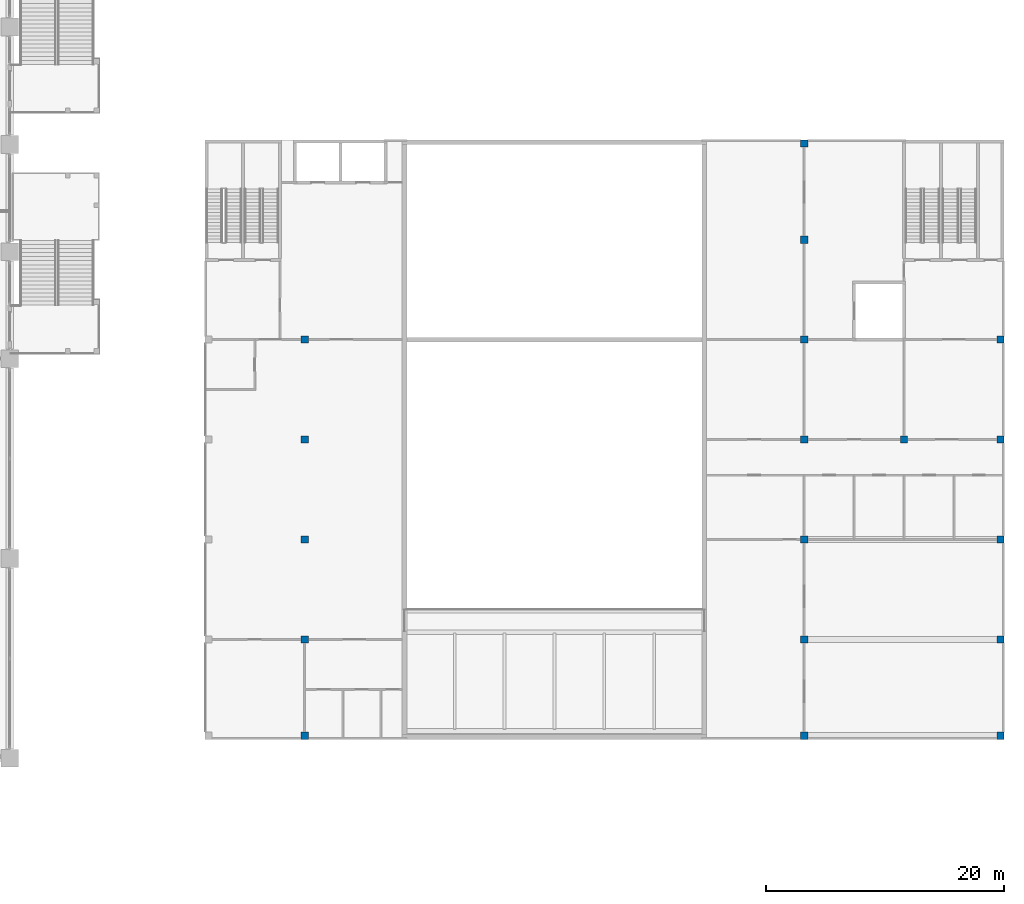
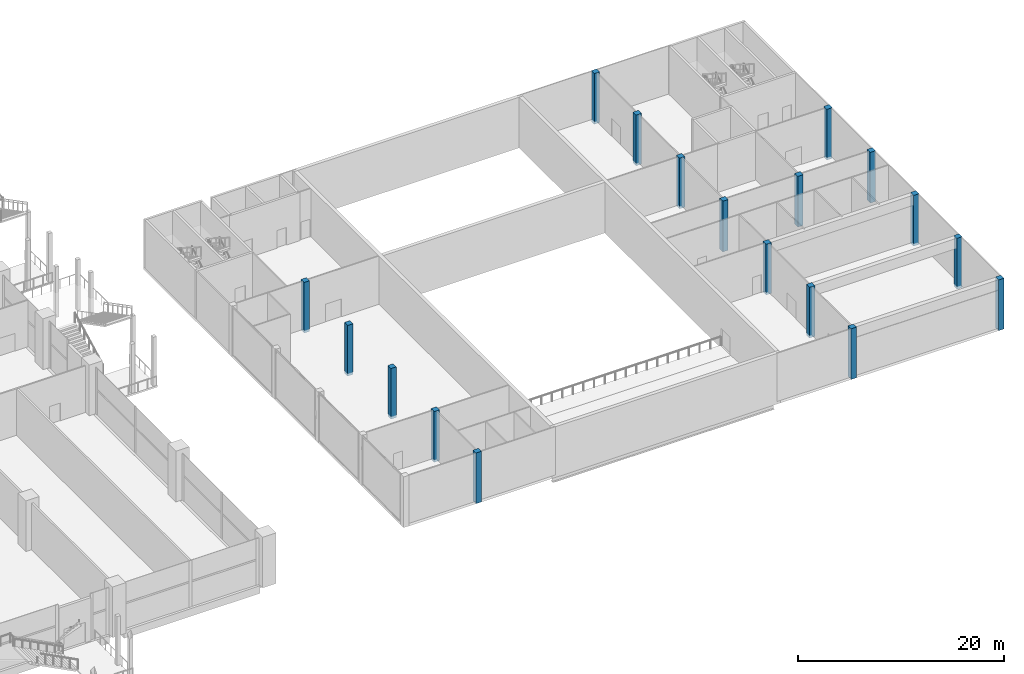
# One storey, part 3 of 49: 18 columns.
"""IFC4 building model written with IfcOpenShell, lengths in metres."""

from ifc_helpers import new_model, si_unit, direction, frame, origin, origin_2d, place, context, subcontext, project, spatial, rectangle, extrude, material, material_profile, profile_set, type_object, element, save


model = new_model("IFC4")

# Units and contexts
model_context = context("Model", 3, precision=1e-05, world=origin(), true_north=direction((0.0, 1.0)))
body_context = subcontext(model_context, "Body", "Model", "MODEL_VIEW")
ifc_project = project(units=[si_unit("LENGTHUNIT", "METRE"), si_unit("AREAUNIT", "SQUARE_METRE"), si_unit("VOLUMEUNIT", "CUBIC_METRE"), si_unit("PLANEANGLEUNIT", "RADIAN"), si_unit("MASSUNIT", "GRAM", prefix="KILO")], contexts=[model_context])

# Site, building, storey
site_placement = place(None, origin())
site = spatial("IfcSite", under=ifc_project, at=site_placement, CompositionType="ELEMENT")
building_placement = place(site_placement, origin())
building = spatial("IfcBuilding", under=site, at=building_placement, Name="Candeia Pilgrim Tower and Theatre", CompositionType="ELEMENT")
storey_placement = place(building_placement, frame((0.0, 0.0, 17.0)))
storey = spatial("IfcBuildingStorey", under=building, at=storey_placement, Name="L02", CompositionType="ELEMENT", Elevation=17.0)

# Columns
ifc_material = material(Name="Concrete C40/50", Category="concrete")
ifc_material_profile = material_profile(ifc_material, rectangle(XDim=0.60009765625, YDim=0.60009765625, at=origin_2d()))
ifc_profile_set = profile_set([ifc_material_profile], Name="Concrete C40/50")
column_type = type_object("IfcColumnType", Name="Theatre column 600x600", PredefinedType="COLUMN", material=ifc_profile_set)
for number, where, z_axis, x_axis, name in (
    (1, (184.39990234375, 66.300048828125, -0.300048828125), (0.0, 0.0, 1.0), (1.0, 0.0, 0.0), "Column TC-A2 L02"),
    (2, (184.39990234375, 74.39990234375, -0.300048828125), (0.0, 0.0, 1.0), (1.0, 0.0, 0.0), "Column TC-B2 L02"),
    (3, (184.39990234375, 82.800048828125, -0.300048828125), (0.0, 0.0, 1.0), (1.0, 0.0, 0.0), "Column TC-C2 L02"),
    (4, (184.39990234375, 91.199951171875, -0.300048828125), (0.0, 0.0, 1.0), (1.0, 0.0, 0.0), "Column TC-D2 L02"),
    (5, (184.39990234375, 99.60009765625, -0.300048828125), (0.0, 0.0, 1.0), (1.0, 0.0, 0.0), "Column TC-E2 L02"),
    (6, (226.39990234375, 66.300048828125, -0.300048828125), (0.0, 0.0, 1.0), (1.0, 0.0, 0.0), "Column TC-A7 L02"),
    (7, (226.39990234375, 74.39990234375, -0.300048828125), (0.0, 0.0, 1.0), (1.0, 0.0, 0.0), "Column TC-B7 L02"),
    (8, (226.39990234375, 82.800048828125, -0.300048828125), (0.0, 0.0, 1.0), (1.0, 0.0, 0.0), "Column TC-C7 L02"),
    (9, (226.39990234375, 91.199951171875, -0.300048828125), (0.0, 0.0, 1.0), (1.0, 0.0, 0.0), "Column TC-D7 L02"),
    (10, (226.39990234375, 99.60009765625, -0.300048828125), (0.0, 0.0, 1.0), (1.0, 0.0, 0.0), "Column TC-E7 L02"),
    (11, (226.39990234375, 108.0, -0.300048828125), (0.0, 0.0, 1.0), (1.0, 0.0, 0.0), "Column TC-F7 L02"),
    (12, (226.39990234375, 116.10009765625, -0.300048828125), (0.0, 0.0, 1.0), (1.0, 0.0, 0.0), "Column TC-G7 L02"),
    (13, (234.800048828125, 91.199951171875, -0.300048828125), (0.0, 0.0, 1.0), (1.0, 0.0, 0.0), "Column TC-D8 L02"),
    (14, (242.89990234375, 66.300048828125, -0.300048828125), (0.0, 0.0, 1.0), (1.0, 0.0, 0.0), "Column TC-A9 L02"),
    (15, (242.89990234375, 74.39990234375, -0.300048828125), (0.0, 0.0, 1.0), (1.0, 0.0, 0.0), "Column TC-B9 L02"),
    (16, (242.89990234375, 82.800048828125, -0.300048828125), (0.0, 0.0, 1.0), (1.0, 0.0, 0.0), "Column TC-C9 L02"),
    (17, (242.89990234375, 91.199951171875, -0.300048828125), (0.0, 0.0, 1.0), (1.0, 0.0, 0.0), "Column TC-D9 L02"),
    (18, (242.89990234375, 99.60009765625, -0.300048828125), (0.0, 0.0, 1.0), (1.0, 0.0, 0.0), "Column TC-E9 L02"),
):
    element("IfcColumn", number, at=place(storey_placement, frame(where, z_axis=z_axis, x_axis=x_axis)), inside=storey, type_object=column_type, Name=name, PredefinedType="COLUMN", context=body_context, shape_type="SweptSolid", body=[
        extrude(rectangle(XDim=0.60009765625, YDim=0.60009765625, at=origin_2d()), origin(), (0.0, 0.0, 1.0), 6.0),
    ])

save(model, "model.ifc")
